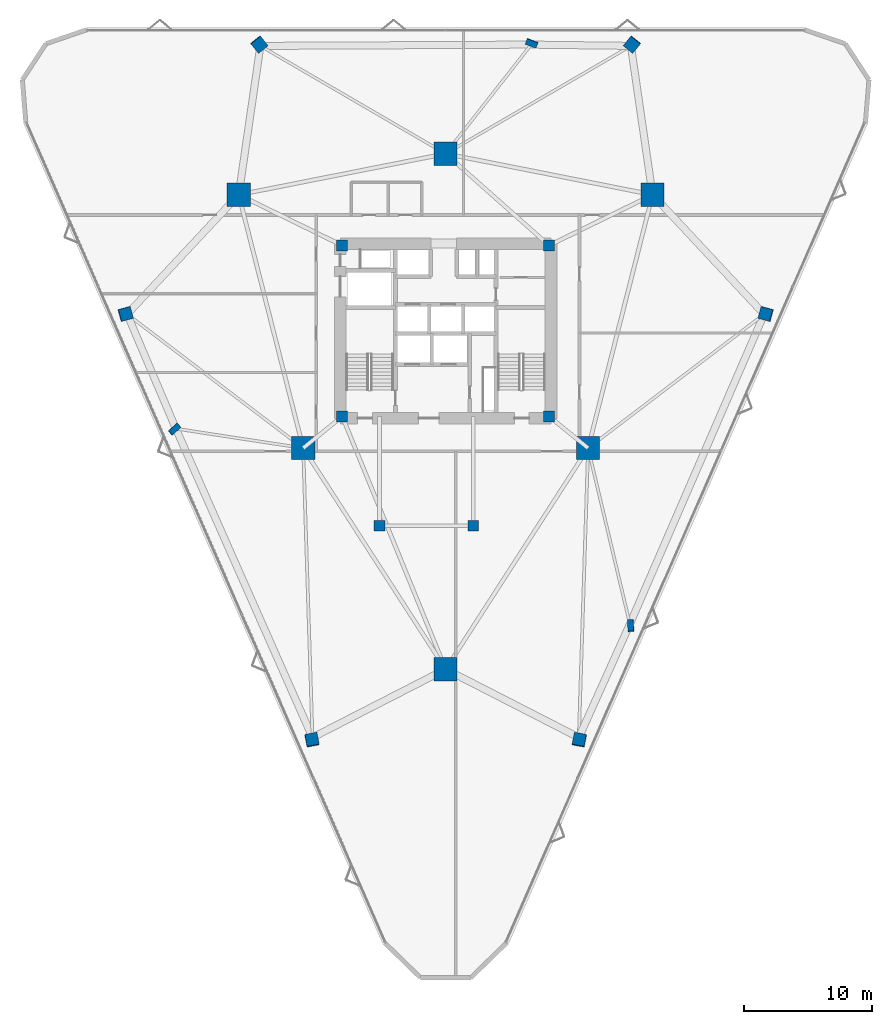
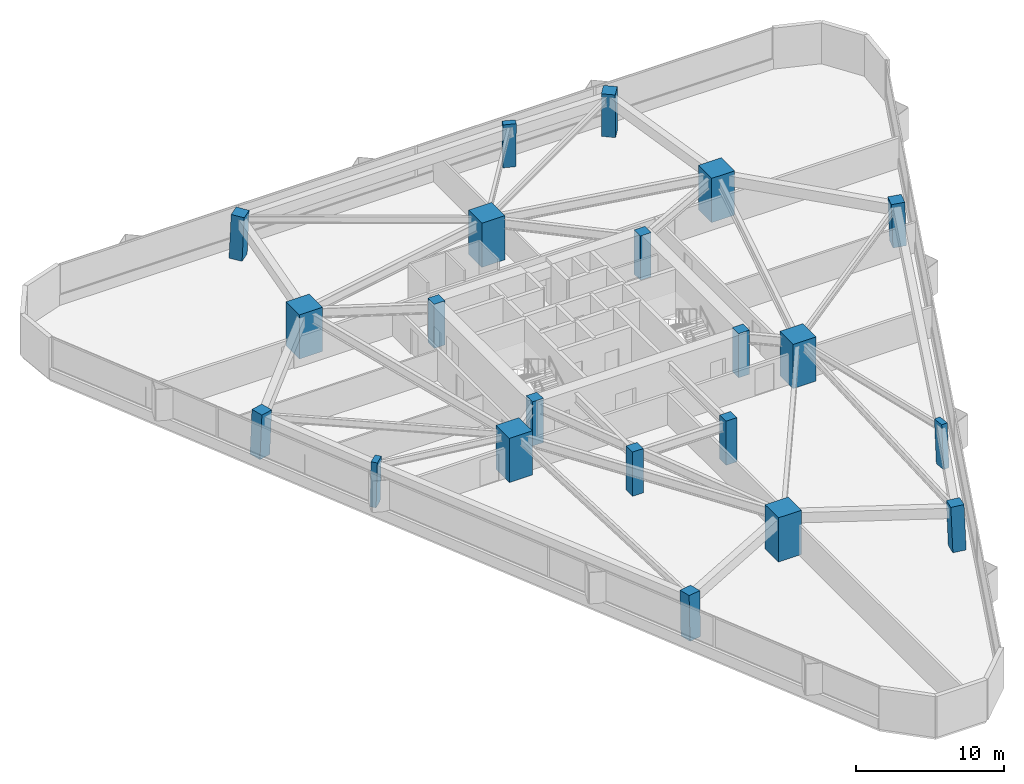
# One storey, part 1 of 20: 21 columns.
"""IFC4 building model written with IfcOpenShell, lengths in metres."""

from ifc_helpers import new_model, si_unit, direction, frame, origin, origin_2d, place, context, subcontext, project, spatial, rectangle, extrude, material, material_profile, profile_set, type_object, element, save


model = new_model("IFC4")

# Units and contexts
model_context = context("Model", 3, precision=1e-05, world=origin(), true_north=direction((0.0, 1.0)))
body_context = subcontext(model_context, "Body", "Model", "MODEL_VIEW")
ifc_project = project(units=[si_unit("LENGTHUNIT", "METRE"), si_unit("AREAUNIT", "SQUARE_METRE"), si_unit("VOLUMEUNIT", "CUBIC_METRE"), si_unit("PLANEANGLEUNIT", "RADIAN"), si_unit("MASSUNIT", "GRAM", prefix="KILO")], contexts=[model_context])

# Site, building, storey
site_placement = place(None, origin())
site = spatial("IfcSite", under=ifc_project, at=site_placement, CompositionType="ELEMENT")
building_placement = place(site_placement, origin())
building = spatial("IfcBuilding", under=site, at=building_placement, Name="Talyreon Biosciences Tower", CompositionType="ELEMENT")
storey_placement = place(building_placement, frame((0.0, 0.0, 59.300048828125)))
storey = spatial("IfcBuildingStorey", under=building, at=storey_placement, Name="L15", CompositionType="ELEMENT", Elevation=59.300048828125)

# Columns
ifc_material_1 = material(Name="Precast concrete C45/55", Category="concrete")
ifc_material_profile_1 = material_profile(ifc_material_1, rectangle(XDim=0.89990234375, YDim=0.449951171875, at=origin_2d()), Name="RC 900x450")
ifc_profile_set_1 = profile_set([ifc_material_profile_1], Name="Precast concrete C45/55")
column_type_1 = type_object("IfcColumnType", Name="FacadePilaster_900x450", PredefinedType="PILASTER", material=ifc_profile_set_1)
column_1_placement = place(storey_placement, frame((80.40966796875, 45.047119140625, 0.0029296875), z_axis=(-0.019611953815, 0.038353752683, 0.999071749637), x_axis=(0.059679705226, -0.997437236963, 0.039462527831)))
element("IfcColumn", 1, at=column_1_placement, inside=storey, type_object=column_type_1, Name="L15 Facade Pilaster PL-SE", PredefinedType="PILASTER", context=body_context, shape_type="SweptSolid", body=[
    extrude(rectangle(XDim=0.89990234375, YDim=0.449951171875, at=origin_2d()), origin(), (0.0, 0.0, 1.0), 3.6474609375),
])
column_2_placement = place(storey_placement, frame((72.69970703125, 90.40380859375, 0.0029296875), z_axis=(-0.01238655289, -0.033544124313, 0.999360478022), x_axis=(-0.9380871136, 0.346399433166, 0.0)))
element("IfcColumn", 2, at=column_2_placement, inside=storey, type_object=column_type_1, Name="L15 Facade Pilaster PL-N", PredefinedType="PILASTER", context=body_context, shape_type="SweptSolid", body=[
    extrude(rectangle(XDim=0.89990234375, YDim=0.449951171875, at=origin_2d()), origin(), (0.0, 0.0, 1.0), 3.646484375),
])
column_3_placement = place(storey_placement, frame((44.890625, 60.35400390625, 0.0029296875), z_axis=(0.032006476949, 0.010512587617, 0.999432374368), x_axis=(0.744727573743, 0.666654621758, -0.030861889044)))
element("IfcColumn", 3, at=column_3_placement, inside=storey, type_object=column_type_1, Name="L15 Facade Pilaster PL-SW", PredefinedType="PILASTER", context=body_context, shape_type="SweptSolid", body=[
    extrude(rectangle(XDim=0.89990234375, YDim=0.449951171875, at=origin_2d()), origin(), (0.0, 0.0, 1.0), 3.64599609375),
])
ifc_material_2 = material(Name="Concrete C60/75", Category="concrete")
ifc_material_profile_2 = material_profile(ifc_material_2, rectangle(XDim=1.800048828125, YDim=1.800048828125, at=origin_2d()), Name="RC 1800x1800")
ifc_profile_set_2 = profile_set([ifc_material_profile_2], Name="Concrete C60/75")
column_type_2 = type_object("IfcColumnType", Name="MegaColumn_1800", PredefinedType="COLUMN", material=ifc_profile_set_2)
for number, where, z_axis, x_axis, name in (
    (4, (66.0, 41.6669921875, 0.0), (0.0, 0.0, 1.0), (1.0, 0.0, 0.0), "L15 Composite Mega-Column MC1"),
    (5, (82.102294921875, 78.5986328125, 0.0), (0.0, 0.0, 1.0), (1.0, 0.0, 0.0), "L15 Composite Mega-Column MC2"),
    (6, (49.897705078125, 78.5986328125, 0.0), (0.0, 0.0, 1.0), (1.0, 0.0, 0.0), "L15 Composite Mega-Column MC3"),
    (7, (77.086181640625, 58.88037109375, 0.0), (0.0, 0.0, 1.0), (1.0, 0.0, 0.0), "L15 Composite Mega-Column MC4"),
    (8, (66.0, 81.788818359375, 0.0), (0.0, 0.0, 1.0), (1.0, 0.0, 0.0), "L15 Composite Mega-Column MC5"),
    (9, (54.913818359375, 58.88037109375, 0.0), (0.0, 0.0, 1.0), (1.0, 0.0, 0.0), "L15 Composite Mega-Column MC6"),
):
    element("IfcColumn", number, at=place(storey_placement, frame(where, z_axis=z_axis, x_axis=x_axis)), inside=storey, type_object=column_type_2, Name=name, PredefinedType="COLUMN", context=body_context, shape_type="SweptSolid", body=[
        extrude(rectangle(XDim=1.800048828125, YDim=1.800048828125, at=origin_2d()), origin(), (0.0, 0.0, 1.0), 3.64990234375),
    ])
ifc_material_profile_3 = material_profile(ifc_material_2, rectangle(XDim=0.85009765625, YDim=0.85009765625, at=origin_2d()), Name="RC 850x850")
ifc_profile_set_3 = profile_set([ifc_material_profile_3], Name="Concrete C60/75")
column_type_3 = type_object("IfcColumnType", Name="PerimeterColumn_850", PredefinedType="COLUMN", material=ifc_profile_set_3)
for number, where, z_axis, x_axis, name in (
    (10, (57.949951171875, 61.35009765625, 0.0), (0.0, 0.0, 1.0), (1.0, 0.0, 0.0), "L15 Core Column CC1"),
    (11, (74.050048828125, 61.35009765625, 0.0), (0.0, 0.0, 1.0), (1.0, 0.0, 0.0), "L15 Core Column CC2"),
    (12, (74.050048828125, 74.64990234375, 0.0), (0.0, 0.0, 1.0), (1.0, 0.0, 0.0), "L15 Core Column CC3"),
    (13, (57.949951171875, 74.64990234375, 0.0), (0.0, 0.0, 1.0), (1.0, 0.0, 0.0), "L15 Core Column CC4"),
    (14, (60.85009765625, 52.840087890625, 0.0), (0.0, 0.0, 1.0), (1.0, 0.0, 0.0), "L15 Core Column CSW"),
    (15, (68.14990234375, 52.840087890625, 0.0), (0.0, 0.0, 1.0), (1.0, 0.0, 0.0), "L15 Core Column CSE"),
):
    element("IfcColumn", number, at=place(storey_placement, frame(where, z_axis=z_axis, x_axis=x_axis)), inside=storey, type_object=column_type_3, Name=name, PredefinedType="COLUMN", context=body_context, shape_type="SweptSolid", body=[
        extrude(rectangle(XDim=0.85009765625, YDim=0.85009765625, at=origin_2d()), origin(), (0.0, 0.0, 1.0), 3.64990234375),
    ])
ifc_material_profile_4 = material_profile(ifc_material_2, rectangle(XDim=0.949951171875, YDim=0.949951171875, at=origin_2d()), Name="RC 950x950")
ifc_profile_set_4 = profile_set([ifc_material_profile_4], Name="Concrete C60/75")
column_type_4 = type_object("IfcColumnType", Name="PerimeterColumn_950", PredefinedType="COLUMN", material=ifc_profile_set_4)
column_4_placement = place(storey_placement, frame((76.409912109375, 36.158447265625, 0.0029296875), z_axis=(-0.012375141264, 0.054450621561, 0.998439775695), x_axis=(-0.188293528141, -0.980779712512, 0.051153717224)))
element("IfcColumn", 16, at=column_4_placement, inside=storey, type_object=column_type_4, Name="L15 Tapering Perimeter Column PC-SE1", PredefinedType="COLUMN", context=body_context, shape_type="SweptSolid", body=[
    extrude(rectangle(XDim=0.949951171875, YDim=0.949951171875, at=origin_2d()), origin(), (0.0, 0.0, 1.0), 3.649658203125),
])
column_5_placement = place(storey_placement, frame((90.92578125, 69.3232421875, 0.0029296875), z_axis=(-0.039229478374, -0.005757227202, 0.999213642001), x_axis=(0.963890701295, -0.263809360632, 0.036322681626)))
element("IfcColumn", 17, at=column_5_placement, inside=storey, type_object=column_type_4, Name="L15 Tapering Perimeter Column PC-SE2", PredefinedType="COLUMN", context=body_context, shape_type="SweptSolid", body=[
    extrude(rectangle(XDim=0.949951171875, YDim=0.949951171875, at=origin_2d()), origin(), (0.0, 0.0, 1.0), 3.64697265625),
])
for number, where, z_axis, x_axis, name in (
    (18, (80.51611328125, 90.303955078125, 0.0029296875), (-0.026907963191, -0.033534551141, 0.999075270136), (-0.779956681152, 0.625833504637, 0.0), "L15 Tapering Perimeter Column PC-N1"),
    (19, (51.48388671875, 90.303955078125, 0.0029296875), (0.026907963191, -0.033534551141, 0.999075270136), (-0.779956681152, -0.625833504637, 0.0), "L15 Tapering Perimeter Column PC-N2"),
):
    element("IfcColumn", number, at=place(storey_placement, frame(where, z_axis=z_axis, x_axis=x_axis)), inside=storey, type_object=column_type_4, Name=name, PredefinedType="COLUMN", context=body_context, shape_type="SweptSolid", body=[
        extrude(rectangle(XDim=0.949951171875, YDim=0.949951171875, at=origin_2d()), origin(), (0.0, 0.0, 1.0), 3.6474609375),
    ])
column_6_placement = place(storey_placement, frame((41.07421875, 69.3232421875, 0.0029296875), z_axis=(0.039229478374, -0.005757227202, 0.999213642001), x_axis=(0.963890701295, 0.263809360632, -0.036322681626)))
element("IfcColumn", 20, at=column_6_placement, inside=storey, type_object=column_type_4, Name="L15 Tapering Perimeter Column PC-SW1", PredefinedType="COLUMN", context=body_context, shape_type="SweptSolid", body=[
    extrude(rectangle(XDim=0.949951171875, YDim=0.949951171875, at=origin_2d()), origin(), (0.0, 0.0, 1.0), 3.64697265625),
])
column_7_placement = place(storey_placement, frame((55.590087890625, 36.158447265625, 0.0029296875), z_axis=(0.012375141264, 0.054450621561, 0.998439775695), x_axis=(-0.188293528141, 0.980779712512, -0.051153717224)))
element("IfcColumn", 21, at=column_7_placement, inside=storey, type_object=column_type_4, Name="L15 Tapering Perimeter Column PC-SW2", PredefinedType="COLUMN", context=body_context, shape_type="SweptSolid", body=[
    extrude(rectangle(XDim=0.949951171875, YDim=0.949951171875, at=origin_2d()), origin(), (0.0, 0.0, 1.0), 3.649658203125),
])

save(model, "model.ifc")
